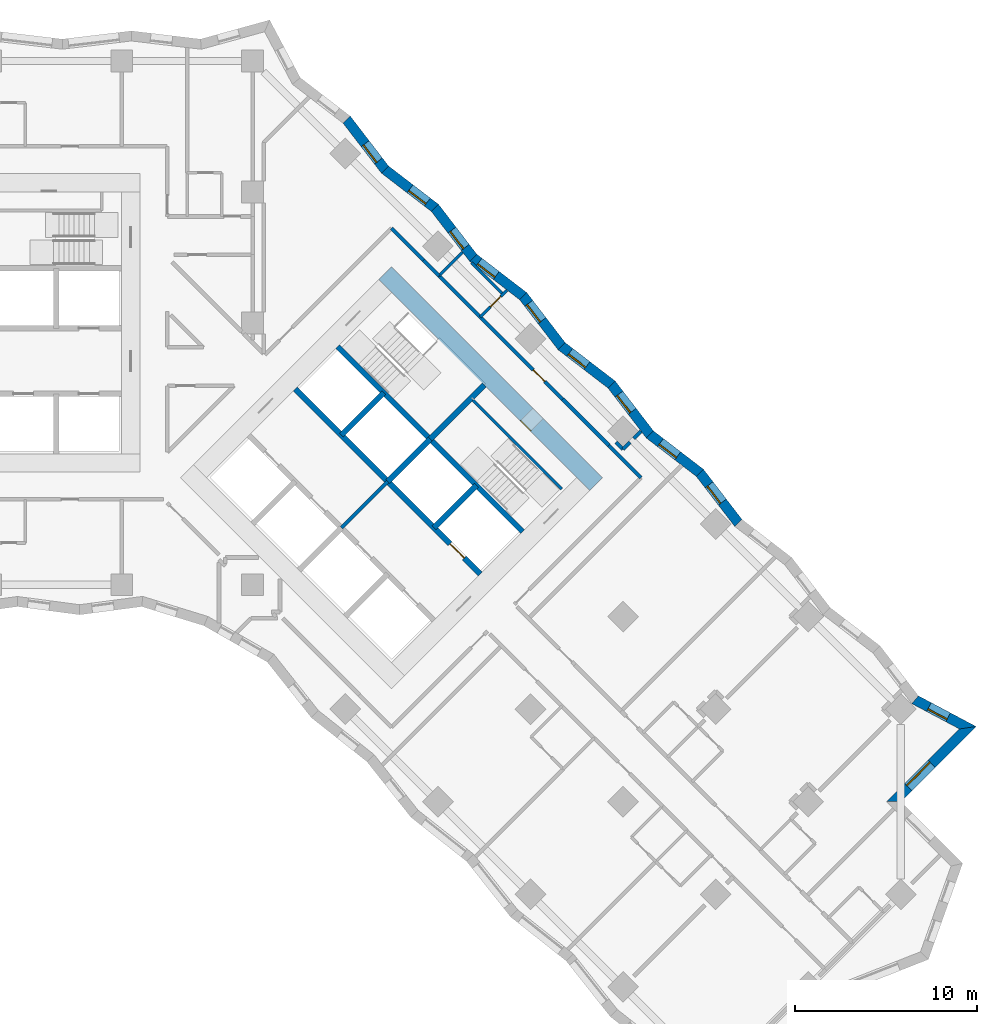
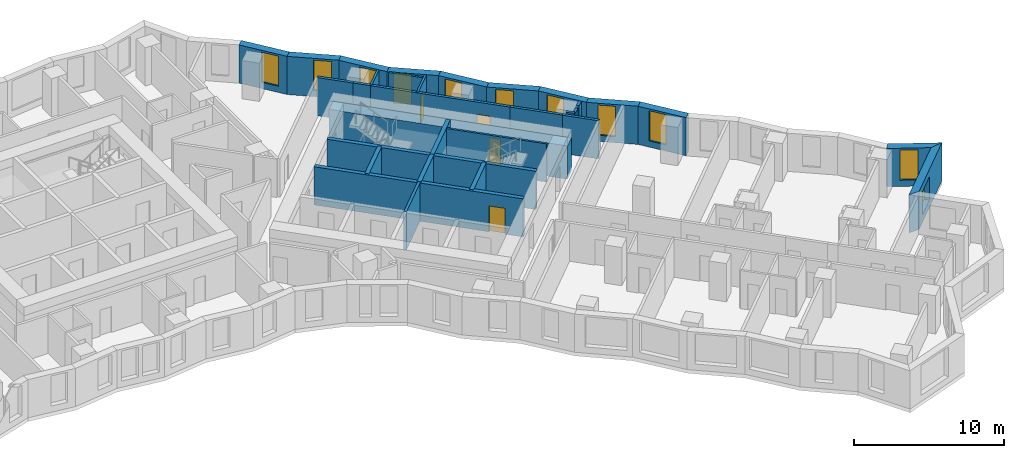
# One storey, part 10 of 14: 32 walls, 11 windows, 4 doors, 15 openings.
"""IFC4 building model written with IfcOpenShell, lengths in metres."""

from ifc_helpers import new_model, si_unit, direction, frame, frame_2d, origin, place, context, subcontext, project, spatial, polyline, rectangle, outline, extrude, material, layer, layer_set, type_object, element, fill, save


model = new_model("IFC4")

# Units and contexts
model_context = context("Model", 3, precision=1e-05, world=origin(), true_north=direction((0.0, 1.0)))
body_context = subcontext(model_context, "Body", "Model", "MODEL_VIEW")
ifc_project = project(units=[si_unit("LENGTHUNIT", "METRE"), si_unit("AREAUNIT", "SQUARE_METRE"), si_unit("VOLUMEUNIT", "CUBIC_METRE"), si_unit("PLANEANGLEUNIT", "RADIAN"), si_unit("MASSUNIT", "GRAM", prefix="KILO")], contexts=[model_context])

# Site, building, storey
site_placement = place(None, origin())
site = spatial("IfcSite", under=ifc_project, at=site_placement, CompositionType="ELEMENT")
building_placement = place(site_placement, origin())
building = spatial("IfcBuilding", under=site, at=building_placement, Name="Windrow Commons", CompositionType="ELEMENT")
storey_placement = place(building_placement, frame((0.0, 0.0, 44.0)))
storey = spatial("IfcBuildingStorey", under=building, at=storey_placement, Name="L11", CompositionType="ELEMENT", Elevation=44.0)

# Wall, opening, window
ifc_material_1 = material(Name="Brick masonry, red clay brick", Category="masonry")
ifc_layer_1 = layer(ifc_material_1, 0.55)
ifc_layer_set_1 = layer_set([ifc_layer_1], Name="Brick facade wall 550")
wall_type_1 = type_object("IfcWallType", Name="Brick facade wall 550", PredefinedType="SOLIDWALL", material=ifc_layer_set_1)
wall_1_placement = place(storey_placement, frame((114.4493, 31.2706, 0.0), z_axis=(0.0, 0.0, 1.0), x_axis=(0.7070980919, 0.7071154704, 0.0)))
wall_1 = element("IfcWall", 1, at=wall_1_placement, inside=storey, type_object=wall_type_1, Name="Brick facade wall L11 6", PredefinedType="SOLIDWALL", context=body_context, shape_type="SweptSolid", body=[
    extrude(outline(polyline([(0.275, -0.275), (6.126, -0.275), (5.3825, 0.275), (-0.275, 0.275), (0.275, -0.275)])), origin(), (0.0, 0.0, 1.0), 3.1),
])
opening_1_placement = place(wall_1_placement, frame((1.1375, 0.0, 0.6)))
opening_1 = element("IfcOpeningElement", 2, at=opening_1_placement, cuts=wall_1, Name="Opening W1L", PredefinedType="OPENING", context=body_context, shape_type="SweptSolid", body=[
    extrude(rectangle(XDim=1.8, YDim=1.9, at=frame_2d((0.9, 0.95))), frame((0.0, 0.285, 0.0), z_axis=(0.0, -1.0, 0.0), x_axis=(1.0, 0.0, 0.0)), (0.0, 0.0, 1.0), 0.57),
])
ifc_material_2 = material(Name="Clear float glass in anodised aluminium frame", Category="aluminium")
window_type_1 = type_object("IfcWindowType", Name="Window W1L bedroom 1800x1900", PartitioningType="SINGLE_PANEL", PredefinedType="WINDOW", material=ifc_material_2)
window_1_placement = place(opening_1_placement, origin())
window_1 = element("IfcWindow", 3, at=window_1_placement, inside=storey, type_object=window_type_1, Name="Window L11 6.1", OverallHeight=1.9, OverallWidth=1.8, PartitioningType="SINGLE_PANEL", PredefinedType="WINDOW", context=body_context, shape_type="SweptSolid", body=[
    extrude(rectangle(XDim=1.8, YDim=1.9, at=frame_2d((0.9, 0.95))), frame((0.0, 0.155, 0.0), z_axis=(0.0, -1.0, 0.0), x_axis=(1.0, 0.0, 0.0)), (0.0, 0.0, 1.0), 0.06),
])
fill(opening_1, window_1)

wall_2_placement = place(storey_placement, frame((118.5181, 35.3395, 0.0), z_axis=(0.0, 0.0, 1.0), x_axis=(-0.8831066362, 0.4691723234, 0.0)))
wall_2 = element("IfcWall", 4, at=wall_2_placement, inside=storey, type_object=wall_type_1, Name="Brick facade wall L11 7", PredefinedType="SOLIDWALL", context=body_context, shape_type="SweptSolid", body=[
    extrude(outline(polyline([(-0.3718, -0.275), (3.2188, -0.275), (3.3382, 0.275), (0.3718, 0.275), (-0.3718, -0.275)])), origin(), (0.0, 0.0, 1.0), 3.1),
])
opening_2_placement = place(wall_2_placement, frame((1.2251, 0.0, 0.5)))
opening_2 = element("IfcOpeningElement", 5, at=opening_2_placement, cuts=wall_2, Name="Opening W7D", PredefinedType="OPENING", context=body_context, shape_type="SweptSolid", body=[
    extrude(rectangle(XDim=1.2, YDim=2.45, at=frame_2d((0.6, 1.225))), frame((0.0, 0.285, 0.0), z_axis=(0.0, -1.0, 0.0), x_axis=(1.0, 0.0, 0.0)), (0.0, 0.0, 1.0), 0.57),
])
ifc_material_3 = material(Name="Clear float glass in anodised aluminium frame", Category="aluminium")
window_type_2 = type_object("IfcWindowType", Name="Window W7 notch 1200x2450", PartitioningType="SINGLE_PANEL", PredefinedType="WINDOW", material=ifc_material_3)
window_2_placement = place(opening_2_placement, origin())
window_2 = element("IfcWindow", 6, at=window_2_placement, inside=storey, type_object=window_type_2, Name="Window L11 7.1", OverallHeight=2.45, OverallWidth=1.2, PartitioningType="SINGLE_PANEL", PredefinedType="WINDOW", context=body_context, shape_type="SweptSolid", body=[
    extrude(rectangle(XDim=1.2, YDim=2.45, at=frame_2d((0.6, 1.225))), frame((0.0, 0.155, 0.0), z_axis=(0.0, -1.0, 0.0), x_axis=(1.0, 0.0, 0.0)), (0.0, 0.0, 1.0), 0.06),
])
fill(opening_2, window_2)

wall_3_placement = place(storey_placement, frame((105.8977, 46.6071, 0.0), z_axis=(0.0, 0.0, 1.0), x_axis=(-0.6089903711, 0.7931776144, 0.0)))
wall_3 = element("IfcWall", 7, at=wall_3_placement, inside=storey, type_object=wall_type_1, Name="Brick facade wall L11 12", PredefinedType="SOLIDWALL", context=body_context, shape_type="SweptSolid", body=[
    extrude(outline(polyline([(0.0361, -0.275), (3.4989, -0.275), (3.4266, 0.275), (-0.0361, 0.275), (0.0361, -0.275)])), origin(), (0.0, 0.0, 1.0), 3.1),
])
opening_3_placement = place(wall_3_placement, frame((1.4337, 0.0, 0.5)))
opening_3 = element("IfcOpeningElement", 8, at=opening_3_placement, cuts=wall_3, Name="Opening W7D", PredefinedType="OPENING", context=body_context, shape_type="SweptSolid", body=[
    extrude(rectangle(XDim=1.2, YDim=2.45, at=frame_2d((0.6, 1.225))), frame((0.0, 0.285, 0.0), z_axis=(0.0, -1.0, 0.0), x_axis=(1.0, 0.0, 0.0)), (0.0, 0.0, 1.0), 0.57),
])
window_3_placement = place(opening_3_placement, origin())
window_3 = element("IfcWindow", 9, at=window_3_placement, inside=storey, type_object=window_type_2, Name="Window L11 12.1", OverallHeight=2.45, OverallWidth=1.2, PartitioningType="SINGLE_PANEL", PredefinedType="WINDOW", context=body_context, shape_type="SweptSolid", body=[
    extrude(rectangle(XDim=1.2, YDim=2.45, at=frame_2d((0.6, 1.225))), frame((0.0, 0.155, 0.0), z_axis=(0.0, -1.0, 0.0), x_axis=(1.0, 0.0, 0.0)), (0.0, 0.0, 1.0), 0.06),
])
fill(opening_3, window_3)

wall_4_placement = place(storey_placement, frame((103.7889, 49.3537, 0.0), z_axis=(0.0, 0.0, 1.0), x_axis=(-0.7931776144, 0.6089903711, 0.0)))
wall_4 = element("IfcWall", 10, at=wall_4_placement, inside=storey, type_object=wall_type_1, Name="Brick facade wall L11 13", PredefinedType="SOLIDWALL", context=body_context, shape_type="SweptSolid", body=[
    extrude(outline(polyline([(-0.0361, -0.275), (3.4266, -0.275), (3.4989, 0.275), (0.0361, 0.275), (-0.0361, -0.275)])), origin(), (0.0, 0.0, 1.0), 3.1),
])
opening_4_placement = place(wall_4_placement, frame((1.5358, 0.0, 0.5)))
opening_4 = element("IfcOpeningElement", 11, at=opening_4_placement, cuts=wall_4, Name="Opening W7D", PredefinedType="OPENING", context=body_context, shape_type="SweptSolid", body=[
    extrude(rectangle(XDim=1.2, YDim=2.45, at=frame_2d((0.6, 1.225))), frame((0.0, 0.285, 0.0), z_axis=(0.0, -1.0, 0.0), x_axis=(1.0, 0.0, 0.0)), (0.0, 0.0, 1.0), 0.57),
])
window_4_placement = place(opening_4_placement, origin())
window_4 = element("IfcWindow", 12, at=window_4_placement, inside=storey, type_object=window_type_2, Name="Window L11 13.1", OverallHeight=2.45, OverallWidth=1.2, PartitioningType="SINGLE_PANEL", PredefinedType="WINDOW", context=body_context, shape_type="SweptSolid", body=[
    extrude(rectangle(XDim=1.2, YDim=2.45, at=frame_2d((0.6, 1.225))), frame((0.0, 0.155, 0.0), z_axis=(0.0, -1.0, 0.0), x_axis=(1.0, 0.0, 0.0)), (0.0, 0.0, 1.0), 0.06),
])
fill(opening_4, window_4)

wall_5_placement = place(storey_placement, frame((101.0423, 51.4625, 0.0), z_axis=(0.0, 0.0, 1.0), x_axis=(-0.6089722022, 0.7931915638, 0.0)))
wall_5 = element("IfcWall", 13, at=wall_5_placement, inside=storey, type_object=wall_type_1, Name="Brick facade wall L11 14", PredefinedType="SOLIDWALL", context=body_context, shape_type="SweptSolid", body=[
    extrude(outline(polyline([(0.0361, -0.275), (3.4989, -0.275), (3.4266, 0.275), (-0.0361, 0.275), (0.0361, -0.275)])), origin(), (0.0, 0.0, 1.0), 3.1),
])
opening_5_placement = place(wall_5_placement, frame((1.6019, 0.0, 0.5)))
opening_5 = element("IfcOpeningElement", 14, at=opening_5_placement, cuts=wall_5, Name="Opening W7D", PredefinedType="OPENING", context=body_context, shape_type="SweptSolid", body=[
    extrude(rectangle(XDim=1.2, YDim=2.45, at=frame_2d((0.6, 1.225))), frame((0.0, 0.285, 0.0), z_axis=(0.0, -1.0, 0.0), x_axis=(1.0, 0.0, 0.0)), (0.0, 0.0, 1.0), 0.57),
])
window_5_placement = place(opening_5_placement, origin())
window_5 = element("IfcWindow", 15, at=window_5_placement, inside=storey, type_object=window_type_2, Name="Window L11 14.1", OverallHeight=2.45, OverallWidth=1.2, PartitioningType="SINGLE_PANEL", PredefinedType="WINDOW", context=body_context, shape_type="SweptSolid", body=[
    extrude(rectangle(XDim=1.2, YDim=2.45, at=frame_2d((0.6, 1.225))), frame((0.0, 0.155, 0.0), z_axis=(0.0, -1.0, 0.0), x_axis=(1.0, 0.0, 0.0)), (0.0, 0.0, 1.0), 0.06),
])
fill(opening_5, window_5)

wall_6_placement = place(storey_placement, frame((98.9336, 54.2091, 0.0), z_axis=(0.0, 0.0, 1.0), x_axis=(-0.7931776144, 0.6089903711, 0.0)))
wall_6 = element("IfcWall", 16, at=wall_6_placement, inside=storey, type_object=wall_type_1, Name="Brick facade wall L11 15", PredefinedType="SOLIDWALL", context=body_context, shape_type="SweptSolid", body=[
    extrude(outline(polyline([(-0.0361, -0.275), (3.4266, -0.275), (3.4989, 0.275), (0.0361, 0.275), (-0.0361, -0.275)])), origin(), (0.0, 0.0, 1.0), 3.1),
])
opening_6_placement = place(wall_6_placement, frame((1.704, 0.0, 0.5)))
opening_6 = element("IfcOpeningElement", 17, at=opening_6_placement, cuts=wall_6, Name="Opening W7D", PredefinedType="OPENING", context=body_context, shape_type="SweptSolid", body=[
    extrude(rectangle(XDim=1.2, YDim=2.45, at=frame_2d((0.6, 1.225))), frame((0.0, 0.285, 0.0), z_axis=(0.0, -1.0, 0.0), x_axis=(1.0, 0.0, 0.0)), (0.0, 0.0, 1.0), 0.57),
])
window_6_placement = place(opening_6_placement, origin())
window_6 = element("IfcWindow", 18, at=window_6_placement, inside=storey, type_object=window_type_2, Name="Window L11 15.1", OverallHeight=2.45, OverallWidth=1.2, PartitioningType="SINGLE_PANEL", PredefinedType="WINDOW", context=body_context, shape_type="SweptSolid", body=[
    extrude(rectangle(XDim=1.2, YDim=2.45, at=frame_2d((0.6, 1.225))), frame((0.0, 0.155, 0.0), z_axis=(0.0, -1.0, 0.0), x_axis=(1.0, 0.0, 0.0)), (0.0, 0.0, 1.0), 0.06),
])
fill(opening_6, window_6)

wall_7_placement = place(storey_placement, frame((96.187, 56.3179, 0.0), z_axis=(0.0, 0.0, 1.0), x_axis=(-0.6089903711, 0.7931776144, 0.0)))
wall_7 = element("IfcWall", 19, at=wall_7_placement, inside=storey, type_object=wall_type_1, Name="Brick facade wall L11 16", PredefinedType="SOLIDWALL", context=body_context, shape_type="SweptSolid", body=[
    extrude(outline(polyline([(0.0361, -0.275), (3.4989, -0.275), (3.4266, 0.275), (-0.0361, 0.275), (0.0361, -0.275)])), origin(), (0.0, 0.0, 1.0), 3.1),
])
opening_7_placement = place(wall_7_placement, frame((1.77, 0.0, 0.5)))
opening_7 = element("IfcOpeningElement", 20, at=opening_7_placement, cuts=wall_7, Name="Opening W7D", PredefinedType="OPENING", context=body_context, shape_type="SweptSolid", body=[
    extrude(rectangle(XDim=1.2, YDim=2.45, at=frame_2d((0.6, 1.225))), frame((0.0, 0.285, 0.0), z_axis=(0.0, -1.0, 0.0), x_axis=(1.0, 0.0, 0.0)), (0.0, 0.0, 1.0), 0.57),
])
window_7_placement = place(opening_7_placement, origin())
window_7 = element("IfcWindow", 21, at=window_7_placement, inside=storey, type_object=window_type_2, Name="Window L11 16.1", OverallHeight=2.45, OverallWidth=1.2, PartitioningType="SINGLE_PANEL", PredefinedType="WINDOW", context=body_context, shape_type="SweptSolid", body=[
    extrude(rectangle(XDim=1.2, YDim=2.45, at=frame_2d((0.6, 1.225))), frame((0.0, 0.155, 0.0), z_axis=(0.0, -1.0, 0.0), x_axis=(1.0, 0.0, 0.0)), (0.0, 0.0, 1.0), 0.06),
])
fill(opening_7, window_7)

wall_8_placement = place(storey_placement, frame((94.0782, 59.0645, 0.0), z_axis=(0.0, 0.0, 1.0), x_axis=(-0.7931776144, 0.6089903711, 0.0)))
wall_8 = element("IfcWall", 22, at=wall_8_placement, inside=storey, type_object=wall_type_1, Name="Brick facade wall L11 17", PredefinedType="SOLIDWALL", context=body_context, shape_type="SweptSolid", body=[
    extrude(outline(polyline([(-0.0361, -0.275), (3.4266, -0.275), (3.4989, 0.275), (0.0361, 0.275), (-0.0361, -0.275)])), origin(), (0.0, 0.0, 1.0), 3.1),
])
opening_8_placement = place(wall_8_placement, frame((1.8722, 0.0, 0.5)))
opening_8 = element("IfcOpeningElement", 23, at=opening_8_placement, cuts=wall_8, Name="Opening W7D", PredefinedType="OPENING", context=body_context, shape_type="SweptSolid", body=[
    extrude(rectangle(XDim=1.2, YDim=2.45, at=frame_2d((0.6, 1.225))), frame((0.0, 0.285, 0.0), z_axis=(0.0, -1.0, 0.0), x_axis=(1.0, 0.0, 0.0)), (0.0, 0.0, 1.0), 0.57),
])
window_8_placement = place(opening_8_placement, origin())
window_8 = element("IfcWindow", 24, at=window_8_placement, inside=storey, type_object=window_type_2, Name="Window L11 17.2", OverallHeight=2.45, OverallWidth=1.2, PartitioningType="SINGLE_PANEL", PredefinedType="WINDOW", context=body_context, shape_type="SweptSolid", body=[
    extrude(rectangle(XDim=1.2, YDim=2.45, at=frame_2d((0.6, 1.225))), frame((0.0, 0.155, 0.0), z_axis=(0.0, -1.0, 0.0), x_axis=(1.0, 0.0, 0.0)), (0.0, 0.0, 1.0), 0.06),
])
fill(opening_8, window_8)

wall_9_placement = place(storey_placement, frame((91.3316, 61.1733, 0.0), z_axis=(0.0, 0.0, 1.0), x_axis=(-0.6089903711, 0.7931776144, 0.0)))
wall_9 = element("IfcWall", 25, at=wall_9_placement, inside=storey, type_object=wall_type_1, Name="Brick facade wall L11 18", PredefinedType="SOLIDWALL", context=body_context, shape_type="SweptSolid", body=[
    extrude(outline(polyline([(0.0361, -0.275), (3.4989, -0.275), (3.4266, 0.275), (-0.0361, 0.275), (0.0361, -0.275)])), origin(), (0.0, 0.0, 1.0), 3.1),
])
opening_9_placement = place(wall_9_placement, frame((0.7249, 0.0, 0.5)))
opening_9 = element("IfcOpeningElement", 26, at=opening_9_placement, cuts=wall_9, Name="Opening W7D", PredefinedType="OPENING", context=body_context, shape_type="SweptSolid", body=[
    extrude(rectangle(XDim=1.2, YDim=2.45, at=frame_2d((0.6, 1.225))), frame((0.0, 0.285, 0.0), z_axis=(0.0, -1.0, 0.0), x_axis=(1.0, 0.0, 0.0)), (0.0, 0.0, 1.0), 0.57),
])
window_9_placement = place(opening_9_placement, origin())
window_9 = element("IfcWindow", 27, at=window_9_placement, inside=storey, type_object=window_type_2, Name="Window L11 18.1", OverallHeight=2.45, OverallWidth=1.2, PartitioningType="SINGLE_PANEL", PredefinedType="WINDOW", context=body_context, shape_type="SweptSolid", body=[
    extrude(rectangle(XDim=1.2, YDim=2.45, at=frame_2d((0.6, 1.225))), frame((0.0, 0.155, 0.0), z_axis=(0.0, -1.0, 0.0), x_axis=(1.0, 0.0, 0.0)), (0.0, 0.0, 1.0), 0.06),
])
fill(opening_9, window_9)

wall_10_placement = place(storey_placement, frame((89.2228, 63.9199, 0.0), z_axis=(0.0, 0.0, 1.0), x_axis=(-0.7931915638, 0.6089722022, 0.0)))
wall_10 = element("IfcWall", 28, at=wall_10_placement, inside=storey, type_object=wall_type_1, Name="Brick facade wall L11 19", PredefinedType="SOLIDWALL", context=body_context, shape_type="SweptSolid", body=[
    extrude(outline(polyline([(-0.0361, -0.275), (3.4266, -0.275), (3.4989, 0.275), (0.0361, 0.275), (-0.0361, -0.275)])), origin(), (0.0, 0.0, 1.0), 3.1),
])
opening_10_placement = place(wall_10_placement, frame((0.527, 0.0, 0.5)))
opening_10 = element("IfcOpeningElement", 29, at=opening_10_placement, cuts=wall_10, Name="Opening W7D", PredefinedType="OPENING", context=body_context, shape_type="SweptSolid", body=[
    extrude(rectangle(XDim=1.2, YDim=2.45, at=frame_2d((0.6, 1.225))), frame((0.0, 0.285, 0.0), z_axis=(0.0, -1.0, 0.0), x_axis=(1.0, 0.0, 0.0)), (0.0, 0.0, 1.0), 0.57),
])
window_10_placement = place(opening_10_placement, origin())
window_10 = element("IfcWindow", 30, at=window_10_placement, inside=storey, type_object=window_type_2, Name="Window L11 19.1", OverallHeight=2.45, OverallWidth=1.2, PartitioningType="SINGLE_PANEL", PredefinedType="WINDOW", context=body_context, shape_type="SweptSolid", body=[
    extrude(rectangle(XDim=1.2, YDim=2.45, at=frame_2d((0.6, 1.225))), frame((0.0, 0.155, 0.0), z_axis=(0.0, -1.0, 0.0), x_axis=(1.0, 0.0, 0.0)), (0.0, 0.0, 1.0), 0.06),
])
fill(opening_10, window_10)

wall_11_placement = place(storey_placement, frame((86.4762, 66.0286, 0.0), z_axis=(0.0, 0.0, 1.0), x_axis=(-0.6089903711, 0.7931776144, 0.0)))
wall_11 = element("IfcWall", 31, at=wall_11_placement, inside=storey, type_object=wall_type_1, Name="Brick facade wall L11 20", PredefinedType="SOLIDWALL", context=body_context, shape_type="SweptSolid", body=[
    extrude(outline(polyline([(0.0361, -0.275), (3.4989, -0.275), (3.4266, 0.275), (-0.0361, 0.275), (0.0361, -0.275)])), origin(), (0.0, 0.0, 1.0), 3.1),
])
opening_11_placement = place(wall_11_placement, frame((0.593, 0.0, 0.5)))
opening_11 = element("IfcOpeningElement", 32, at=opening_11_placement, cuts=wall_11, Name="Opening W7D", PredefinedType="OPENING", context=body_context, shape_type="SweptSolid", body=[
    extrude(rectangle(XDim=1.2, YDim=2.45, at=frame_2d((0.6, 1.225))), frame((0.0, 0.285, 0.0), z_axis=(0.0, -1.0, 0.0), x_axis=(1.0, 0.0, 0.0)), (0.0, 0.0, 1.0), 0.57),
])
window_11_placement = place(opening_11_placement, origin())
window_11 = element("IfcWindow", 33, at=window_11_placement, inside=storey, type_object=window_type_2, Name="Window L11 20.1", OverallHeight=2.45, OverallWidth=1.2, PartitioningType="SINGLE_PANEL", PredefinedType="WINDOW", context=body_context, shape_type="SweptSolid", body=[
    extrude(rectangle(XDim=1.2, YDim=2.45, at=frame_2d((0.6, 1.225))), frame((0.0, 0.155, 0.0), z_axis=(0.0, -1.0, 0.0), x_axis=(1.0, 0.0, 0.0)), (0.0, 0.0, 1.0), 0.06),
])
fill(opening_11, window_11)

# Wall
ifc_material_4 = material(Name="Blockwork partition", Category="masonry")
ifc_layer_2 = layer(ifc_material_4, 0.2)
ifc_layer_set_2 = layer_set([ifc_layer_2], Name="Fire lobby partition 200")
wall_type_2 = type_object("IfcWallType", Name="Fire lobby partition 200", PredefinedType="PARTITIONING", material=ifc_layer_set_2)
wall_12_placement = place(storey_placement, frame((84.079, 46.332, 0.0), z_axis=(0.0, 0.0, 1.0), x_axis=(0.7071067812, 0.7071067812, 0.0)))
element("IfcWall", 34, at=wall_12_placement, inside=storey, type_object=wall_type_2, Name="W-core-lobby-B-L11", PredefinedType="PARTITIONING", context=body_context, shape_type="SweptSolid", body=[
    extrude(rectangle(XDim=3.6, YDim=0.2, at=frame_2d((1.8, 0.0))), origin(), (0.0, 0.0, 1.0), 3.1),
])

# Wall, opening, door
ifc_material_5 = material(Name="Blockwork partition", Category="masonry")
ifc_layer_3 = layer(ifc_material_5, 0.2)
ifc_layer_set_3 = layer_set([ifc_layer_3], Name="IW-CORRIDOR-200")
wall_type_3 = type_object("IfcWallType", Name="IW-CORRIDOR-200", PredefinedType="PARTITIONING", material=ifc_layer_set_3)
wall_13_placement = place(storey_placement, frame((89.4506, 60.1886, 0.0), z_axis=(0.0, 0.0, 1.0), x_axis=(0.7071796965, -0.7070338583, 0.0)))
wall_13 = element("IfcWall", 35, at=wall_13_placement, inside=storey, type_object=wall_type_3, Name="W-L11-W013", PredefinedType="PARTITIONING", context=body_context, shape_type="SweptSolid", body=[
    extrude(rectangle(XDim=9.5997, YDim=0.2, at=frame_2d((4.7999, 0.0))), origin(), (0.0, 0.0, 1.0), 3.1),
])
opening_12_placement = place(wall_13_placement, frame((7.3148, 0.0, 0.0)))
opening_12 = element("IfcOpeningElement", 36, at=opening_12_placement, cuts=wall_13, Name="Opening D109F", PredefinedType="OPENING", context=body_context, shape_type="SweptSolid", body=[
    extrude(rectangle(XDim=0.9, YDim=2.1, at=frame_2d((0.45, 1.05))), frame((0.0, 0.11, 0.0), z_axis=(0.0, -1.0, 0.0), x_axis=(1.0, 0.0, 0.0)), (0.0, 0.0, 1.0), 0.22),
])
ifc_material_6 = material(Name="Timber door leaf", Category="wood")
door_type_1 = type_object("IfcDoorType", Name="DT-BEDROOM-900", OperationType="SINGLE_SWING_LEFT", PredefinedType="DOOR", material=ifc_material_6)
door_1_placement = place(opening_12_placement, origin())
door_1 = element("IfcDoor", 37, at=door_1_placement, inside=storey, type_object=door_type_1, Name="D-L11-D047", OperationType="SINGLE_SWING_LEFT", OverallHeight=2.1, OverallWidth=0.9, PredefinedType="DOOR", context=body_context, shape_type="SweptSolid", body=[
    extrude(rectangle(XDim=0.9, YDim=2.1, at=frame_2d((0.45, 1.05))), frame((0.0, 0.025, 0.0), z_axis=(0.0, -1.0, 0.0), x_axis=(1.0, 0.0, 0.0)), (0.0, 0.0, 1.0), 0.05),
])
fill(opening_12, door_1)

# Walls
wall_14_placement = place(storey_placement, frame((96.2437, 53.4057, 0.0), z_axis=(0.0, 0.0, 1.0), x_axis=(0.7068288851, -0.7073845681, 0.0)))
element("IfcWall", 38, at=wall_14_placement, inside=storey, type_object=wall_type_3, Name="W-L11-W055", PredefinedType="PARTITIONING", context=body_context, shape_type="SweptSolid", body=[
    extrude(rectangle(XDim=3.5992, YDim=0.2, at=frame_2d((1.7996, 0.0))), origin(), (0.0, 0.0, 1.0), 3.1),
])
wall_15_placement = place(storey_placement, frame((98.783, 50.855, 0.0), z_axis=(0.0, 0.0, 1.0), x_axis=(0.7071067812, -0.7071067812, 0.0)))
element("IfcWall", 39, at=wall_15_placement, inside=storey, type_object=wall_type_3, Name="W-L11-W071", PredefinedType="PARTITIONING", context=body_context, shape_type="SweptSolid", body=[
    extrude(rectangle(XDim=2.5003, YDim=0.2, at=frame_2d((1.2502, 0.0))), origin(), (0.0, 0.0, 1.0), 3.1),
])
wall_16_placement = place(storey_placement, frame((86.835, 62.803, 0.0), z_axis=(0.0, 0.0, 1.0), x_axis=(0.7071067812, -0.7071067812, 0.0)))
element("IfcWall", 40, at=wall_16_placement, inside=storey, type_object=wall_type_3, Name="W-L11-W072", PredefinedType="PARTITIONING", context=body_context, shape_type="SweptSolid", body=[
    extrude(rectangle(XDim=2.4975, YDim=0.2, at=frame_2d((1.2488, 0.0))), origin(), (0.0, 0.0, 1.0), 3.1),
])
wall_17_placement = place(storey_placement, frame((88.6031, 61.0391, 0.0), z_axis=(0.0, 0.0, 1.0), x_axis=(0.7079391603, -0.7062734211, 0.0)))
element("IfcWall", 41, at=wall_17_placement, inside=storey, type_object=wall_type_3, Name="W-L11-W153", PredefinedType="PARTITIONING", context=body_context, shape_type="SweptSolid", body=[
    extrude(rectangle(XDim=1.2007, YDim=0.2, at=frame_2d((0.6004, 0.0))), origin(), (0.0, 0.0, 1.0), 3.1),
])
ifc_material_7 = material(Name="Blockwork partition", Category="masonry")
ifc_layer_4 = layer(ifc_material_7, 0.15)
ifc_layer_set_4 = layer_set([ifc_layer_4], Name="IW-ENSUITE-150")
wall_type_4 = type_object("IfcWallType", Name="IW-ENSUITE-150", PredefinedType="PARTITIONING", material=ifc_layer_set_4)
wall_18_placement = place(storey_placement, frame((91.2326, 60.8943, 0.0), z_axis=(0.0, 0.0, 1.0), x_axis=(0.7071272785, -0.7070862833, 0.0)))
element("IfcWall", 42, at=wall_18_placement, inside=storey, type_object=wall_type_4, Name="W-L11-W073", PredefinedType="PARTITIONING", context=body_context, shape_type="SweptSolid", body=[
    extrude(rectangle(XDim=2.4393, YDim=0.15, at=frame_2d((1.2196, 0.0))), origin(), (0.0, 0.0, 1.0), 3.1),
])

# Wall, opening, door
wall_19_placement = place(storey_placement, frame((91.7148, 57.9292, 0.0), z_axis=(0.0, 0.0, 1.0), x_axis=(0.7070827712, 0.7071307904, 0.0)))
wall_19 = element("IfcWall", 43, at=wall_19_placement, inside=storey, type_object=wall_type_4, Name="W-L11-W120", PredefinedType="PARTITIONING", context=body_context, shape_type="SweptSolid", body=[
    extrude(rectangle(XDim=2.0825, YDim=0.15, at=frame_2d((1.0413, 0.0))), origin(), (0.0, 0.0, 1.0), 3.1),
])
opening_13_placement = place(wall_19_placement, frame((0.7839, 0.0, 0.0)))
opening_13 = element("IfcOpeningElement", 44, at=opening_13_placement, cuts=wall_19, Name="Opening D208N", PredefinedType="OPENING", context=body_context, shape_type="SweptSolid", body=[
    extrude(rectangle(XDim=0.8, YDim=2.1, at=frame_2d((0.4, 1.05))), frame((0.0, 0.085, 0.0), z_axis=(0.0, -1.0, 0.0), x_axis=(1.0, 0.0, 0.0)), (0.0, 0.0, 1.0), 0.17),
])
ifc_material_8 = material(Name="Timber door leaf", Category="wood")
door_type_2 = type_object("IfcDoorType", Name="DT-ENSUITE-800", OperationType="SINGLE_SWING_LEFT", PredefinedType="DOOR", material=ifc_material_8)
door_2_placement = place(opening_13_placement, origin())
door_2 = element("IfcDoor", 45, at=door_2_placement, inside=storey, type_object=door_type_2, Name="D-L11-D048", OperationType="SINGLE_SWING_RIGHT", OverallHeight=2.1, OverallWidth=0.8, PredefinedType="DOOR", context=body_context, shape_type="SweptSolid", body=[
    extrude(rectangle(XDim=0.8, YDim=2.1, at=frame_2d((0.4, 1.05))), frame((0.0, 0.025, 0.0), z_axis=(0.0, -1.0, 0.0), x_axis=(1.0, 0.0, 0.0)), (0.0, 0.0, 1.0), 0.05),
])
fill(opening_13, door_2)

# Walls
wall_20_placement = place(storey_placement, frame((89.453, 60.193, 0.0), z_axis=(0.0, 0.0, 1.0), x_axis=(0.7071067812, 0.7071067812, 0.0)))
element("IfcWall", 46, at=wall_20_placement, inside=storey, type_object=wall_type_4, Name="W-L11-W145", PredefinedType="PARTITIONING", context=body_context, shape_type="SweptSolid", body=[
    extrude(rectangle(XDim=1.8276, YDim=0.15, at=frame_2d((0.9138, 0.0))), origin(), (0.0, 0.0, 1.0), 3.1),
])
ifc_material_9 = material(Name="Blockwork partition", Category="masonry")
ifc_layer_5 = layer(ifc_material_9, 0.2)
ifc_layer_set_5 = layer_set([ifc_layer_5], Name="IW-PARTY-200")
wall_type_5 = type_object("IfcWallType", Name="IW-PARTY-200", PredefinedType="PARTITIONING", material=ifc_layer_set_5)
for number, where, z_axis, x_axis, name in (
    (47, (99.5608, 50.6432, 0.0), (0.0, 0.0, 1.0), (0.7071067812, 0.7071067812, 0.0), "W-L11-W172"),
    (48, (99.1678, 51.0358, 0.0), (0.0, 0.0, 1.0), (0.7071067812, -0.7071067812, 0.0), "W-L11-W174"),
):
    element("IfcWall", number, at=place(storey_placement, frame(where, z_axis=z_axis, x_axis=x_axis)), inside=storey, type_object=wall_type_5, Name=name, PredefinedType="PARTITIONING", context=body_context, shape_type="SweptSolid", body=[
        extrude(rectangle(XDim=0.5572, YDim=0.2, at=frame_2d((0.2786, 0.0))), origin(), (0.0, 0.0, 1.0), 3.1),
    ])
wall_21_placement = place(storey_placement, frame((100.1628, 51.2452, 0.0), z_axis=(0.0, 0.0, 1.0), x_axis=(0.7071067812, 0.7071067812, 0.0)))
element("IfcWall", 49, at=wall_21_placement, inside=storey, type_object=wall_type_5, Name="W-L11-W182", PredefinedType="PARTITIONING", context=body_context, shape_type="SweptSolid", body=[
    extrude(rectangle(XDim=0.5597, YDim=0.2, at=frame_2d((0.2798, 0.0))), origin(), (0.0, 0.0, 1.0), 3.1),
])

# Wall, opening, door
ifc_material_10 = material(Name="Concrete C60/75", Category="concrete")
ifc_layer_6 = layer(ifc_material_10, 1.0)
ifc_layer_set_6 = layer_set([ifc_layer_6], Name="RC CORE WALL 1000 C60/75")
wall_type_6 = type_object("IfcWallType", Name="RC CORE WALL 1000 C60/75", PredefinedType="SHEAR", material=ifc_layer_set_6)
wall_22_placement = place(storey_placement, frame((86.4832, 60.3327, -0.3), z_axis=(0.0, 0.0, 1.0), x_axis=(0.70710983, -0.7071037324, 0.0)))
wall_22 = element("IfcWall", 50, at=wall_22_placement, inside=storey, type_object=wall_type_6, Name="Core B wall outer-N", PredefinedType="SHEAR", context=body_context, shape_type="SweptSolid", body=[
    extrude(rectangle(XDim=16.4, YDim=1.0, at=frame_2d((8.2, 0.0))), origin(), (0.0, 0.0, 1.0), 2.7),
])
opening_14_placement = place(wall_22_placement, frame((11.0, 0.0, 0.3)))
opening_14 = element("IfcOpeningElement", 51, at=opening_14_placement, cuts=wall_22, Name="Opening D9", PredefinedType="OPENING", context=body_context, shape_type="SweptSolid", body=[
    extrude(rectangle(XDim=0.8, YDim=2.1, at=frame_2d((0.4, 1.05))), frame((0.0, 0.51, 0.0), z_axis=(0.0, -1.0, 0.0), x_axis=(1.0, 0.0, 0.0)), (0.0, 0.0, 1.0), 1.02),
])
ifc_material_11 = material(Name="Steel fire door leaf", Category="steel")
door_type_3 = type_object("IfcDoorType", Name="Riser access door 800", OperationType="SINGLE_SWING_LEFT", PredefinedType="DOOR", material=ifc_material_11)
door_3_placement = place(opening_14_placement, origin())
door_3 = element("IfcDoor", 52, at=door_3_placement, inside=storey, type_object=door_type_3, Name="Riser access door", OperationType="SINGLE_SWING_RIGHT", OverallHeight=2.1, OverallWidth=0.8, PredefinedType="DOOR", context=body_context, shape_type="SweptSolid", body=[
    extrude(rectangle(XDim=0.8, YDim=2.1, at=frame_2d((0.4, 1.05))), frame((0.0, -0.44, 0.0), z_axis=(0.0, -1.0, 0.0), x_axis=(1.0, 0.0, 0.0)), (0.0, 0.0, 1.0), 0.05),
])
fill(opening_14, door_3)

# Walls
ifc_material_12 = material(Name="Concrete C60/75", Category="concrete")
ifc_layer_7 = layer(ifc_material_12, 0.3)
ifc_layer_set_7 = layer_set([ifc_layer_7], Name="RC SHAFT WALL 300 C60/75")
wall_type_7 = type_object("IfcWallType", Name="RC SHAFT WALL 300 C60/75", PredefinedType="SOLIDWALL", material=ifc_layer_set_7)
wall_23_placement = place(storey_placement, frame((84.079, 51.4232, 0.0), z_axis=(0.0, 0.0, 1.0), x_axis=(0.7071219326, 0.7070916295, 0.0)))
element("IfcWall", 53, at=wall_23_placement, inside=storey, type_object=wall_type_7, Name="Core B wall shaft-N1", PredefinedType="SOLIDWALL", context=body_context, shape_type="SweptSolid", body=[
    extrude(rectangle(XDim=3.3, YDim=0.3, at=frame_2d((1.65, 0.0))), origin(), (0.0, 0.0, 1.0), 3.1),
])
for number, where, z_axis, x_axis, name in (
    (54, (86.6246, 48.8776, 0.0), (0.0, 0.0, 1.0), (0.7071067812, 0.7071067812, 0.0), "Core B wall shaft-N2"),
    (55, (89.1702, 46.332, 0.0), (0.0, 0.0, 1.0), (0.7071067812, 0.7071067812, 0.0), "Core B wall shaft-N3"),
):
    element("IfcWall", number, at=place(storey_placement, frame(where, z_axis=z_axis, x_axis=x_axis)), inside=storey, type_object=wall_type_7, Name=name, PredefinedType="SOLIDWALL", context=body_context, shape_type="SweptSolid", body=[
        extrude(rectangle(XDim=3.3001, YDim=0.3, at=frame_2d((1.6501, 0.0))), origin(), (0.0, 0.0, 1.0), 3.1),
    ])

# Wall, opening, door
wall_24_placement = place(storey_placement, frame((81.5335, 53.9688, 0.0), z_axis=(0.0, 0.0, 1.0), x_axis=(0.707103309, -0.7071102534, 0.0)))
wall_24 = element("IfcWall", 56, at=wall_24_placement, inside=storey, type_object=wall_type_7, Name="Core B wall lobby-N", PredefinedType="SOLIDWALL", context=body_context, shape_type="SweptSolid", body=[
    extrude(rectangle(XDim=14.4, YDim=0.3, at=frame_2d((7.2, 0.0))), origin(), (0.0, 0.0, 1.0), 3.1),
])
opening_15_placement = place(wall_24_placement, frame((12.05, 0.0, 0.0)))
opening_15 = element("IfcOpeningElement", 57, at=opening_15_placement, cuts=wall_24, Name="Opening LD", PredefinedType="OPENING", context=body_context, shape_type="SweptSolid", body=[
    extrude(rectangle(XDim=1.1, YDim=2.1, at=frame_2d((0.55, 1.05))), frame((0.0, 0.16, 0.0), z_axis=(0.0, -1.0, 0.0), x_axis=(1.0, 0.0, 0.0)), (0.0, 0.0, 1.0), 0.32),
])
ifc_material_13 = material(Name="Stainless steel door leaf", Category="steel")
door_type_4 = type_object("IfcDoorType", Name="Lift landing door 1100", OperationType="SLIDING_TO_LEFT", PredefinedType="DOOR", material=ifc_material_13)
door_4_placement = place(opening_15_placement, origin())
door_4 = element("IfcDoor", 58, at=door_4_placement, inside=storey, type_object=door_type_4, Name="Lift landing door", OperationType="SLIDING_TO_RIGHT", OverallHeight=2.1, OverallWidth=1.1, PredefinedType="DOOR", context=body_context, shape_type="SweptSolid", body=[
    extrude(rectangle(XDim=1.1, YDim=2.1, at=frame_2d((0.55, 1.05))), frame((0.0, 0.025, 0.0), z_axis=(0.0, -1.0, 0.0), x_axis=(1.0, 0.0, 0.0)), (0.0, 0.0, 1.0), 0.05),
])
fill(opening_15, door_4)

# Walls
for number, where, z_axis, x_axis, name in (
    (59, (83.8669, 56.3022, 0.0), (0.0, 0.0, 1.0), (0.7071137256, -0.7070998367, 0.0), "Core B wall stair-S"),
    (60, (88.9581, 51.2111, 0.0), (0.0, 0.0, 1.0), (0.7070998367, -0.7071137256, 0.0), "Core B wall stair-S2"),
):
    element("IfcWall", number, at=place(storey_placement, frame(where, z_axis=z_axis, x_axis=x_axis)), inside=storey, type_object=wall_type_7, Name=name, PredefinedType="SOLIDWALL", context=body_context, shape_type="SweptSolid", body=[
        extrude(rectangle(XDim=7.2, YDim=0.3, at=frame_2d((3.6, 0.0))), origin(), (0.0, 0.0, 1.0), 3.1),
    ])
wall_25_placement = place(storey_placement, frame((88.9581, 51.2111, 0.0), z_axis=(0.0, 0.0, 1.0), x_axis=(0.7071067812, 0.7071067812, 0.0)))
element("IfcWall", 61, at=wall_25_placement, inside=storey, type_object=wall_type_7, Name="Core B wall stair-mid", PredefinedType="SOLIDWALL", context=body_context, shape_type="SweptSolid", body=[
    extrude(rectangle(XDim=4.1999, YDim=0.3, at=frame_2d((2.1, 0.0))), origin(), (0.0, 0.0, 1.0), 3.1),
])
ifc_material_14 = material(Name="Blockwork partition", Category="masonry")
ifc_layer_8 = layer(ifc_material_14, 0.15)
ifc_layer_set_8 = layer_set([ifc_layer_8], Name="Riser partition 150")
wall_type_8 = type_object("IfcWallType", Name="Riser partition 150", PredefinedType="PARTITIONING", material=ifc_layer_set_8)
wall_26_placement = place(storey_placement, frame((91.3127, 53.3536, 0.0), z_axis=(0.0, 0.0, 1.0), x_axis=(0.7071140275, -0.7070995348, 0.0)))
element("IfcWall", 62, at=wall_26_placement, inside=storey, type_object=wall_type_8, Name="W-core-strip-B-L11", PredefinedType="PARTITIONING", context=body_context, shape_type="SweptSolid", body=[
    extrude(rectangle(XDim=6.9, YDim=0.15, at=frame_2d((3.45, 0.0))), origin(), (0.0, 0.0, 1.0), 3.1),
])

save(model, "model.ifc")
